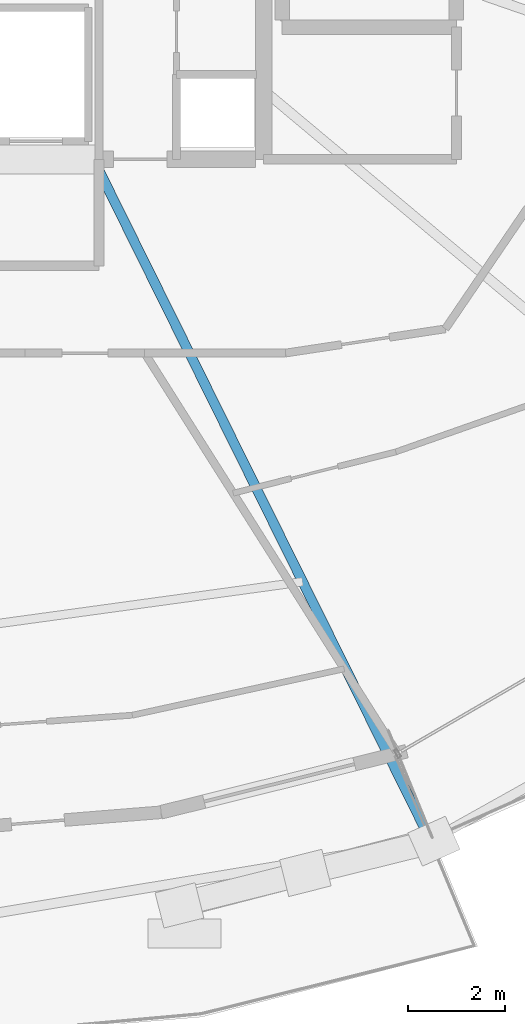
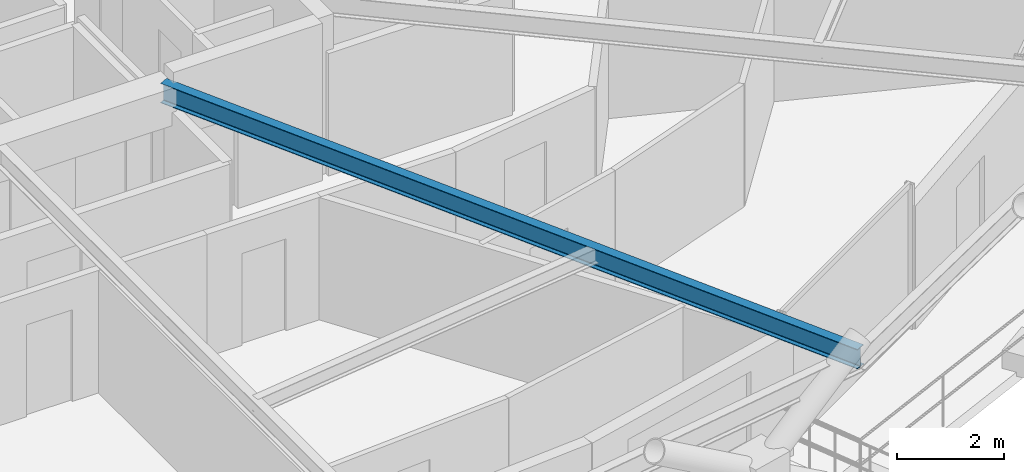
# One storey, part 4 of 16: 1 beam.
"""IFC4 building model written with IfcOpenShell, lengths in metres."""

from ifc_helpers import new_model, si_unit, direction, frame, origin, origin_2d, place, context, subcontext, project, spatial, i_section, extrude, material, material_profile, profile_set, type_object, element, save


model = new_model("IFC4")

# Units and contexts
model_context = context("Model", 3, precision=1e-05, world=origin(), true_north=direction((0.0, 1.0)))
body_context = subcontext(model_context, "Body", "Model", "MODEL_VIEW")
ifc_project = project(units=[si_unit("LENGTHUNIT", "METRE"), si_unit("AREAUNIT", "SQUARE_METRE"), si_unit("VOLUMEUNIT", "CUBIC_METRE"), si_unit("PLANEANGLEUNIT", "RADIAN"), si_unit("MASSUNIT", "GRAM", prefix="KILO")], contexts=[model_context])

# Site, building, storey
site_placement = place(None, origin())
site = spatial("IfcSite", under=ifc_project, at=site_placement, CompositionType="ELEMENT")
building_placement = place(site_placement, origin())
building = spatial("IfcBuilding", under=site, at=building_placement, Name="Veldorina Hangang Commons", CompositionType="ELEMENT")
storey_placement = place(building_placement, frame((0.0, 0.0, 174.800048828125)))
storey = spatial("IfcBuildingStorey", under=building, at=storey_placement, Name="L45", CompositionType="ELEMENT", Elevation=174.800048828125)

# Beam
ifc_material = material(Name="Steel SM355-TMC", Category="steel")
ifc_material_profile = material_profile(ifc_material, i_section(OverallWidth=0.199951171875, OverallDepth=0.449951171875, WebThickness=0.009033203125, FlangeThickness=0.013916015625, FilletRadius=0.01611328125, at=origin_2d()), Name="H-450x200x9x14")
ifc_profile_set = profile_set([ifc_material_profile], Name="Steel SM355-TMC")
beam_type = type_object("IfcBeamType", Name="BM-FG450", PredefinedType="BEAM", material=ifc_profile_set)
beam_placement = place(storey_placement, frame((35.687255859375, 16.550048828125, 3.125), z_axis=(0.44356380888, -0.896242794923, 0.0), x_axis=(0.896242794923, 0.44356380888, 0.0)))
element("IfcBeam", 1, at=beam_placement, inside=storey, type_object=beam_type, Name="L45 radial floor girder 14", PredefinedType="BEAM", context=body_context, shape_type="SweptSolid", body=[
    extrude(i_section(OverallWidth=0.199951171875, OverallDepth=0.449951171875, WebThickness=0.009033203125, FlangeThickness=0.013916015625, FilletRadius=0.01611328125, at=origin_2d()), origin(), (0.0, 0.0, 1.0), 15.6953125),
])

save(model, "model.ifc")
